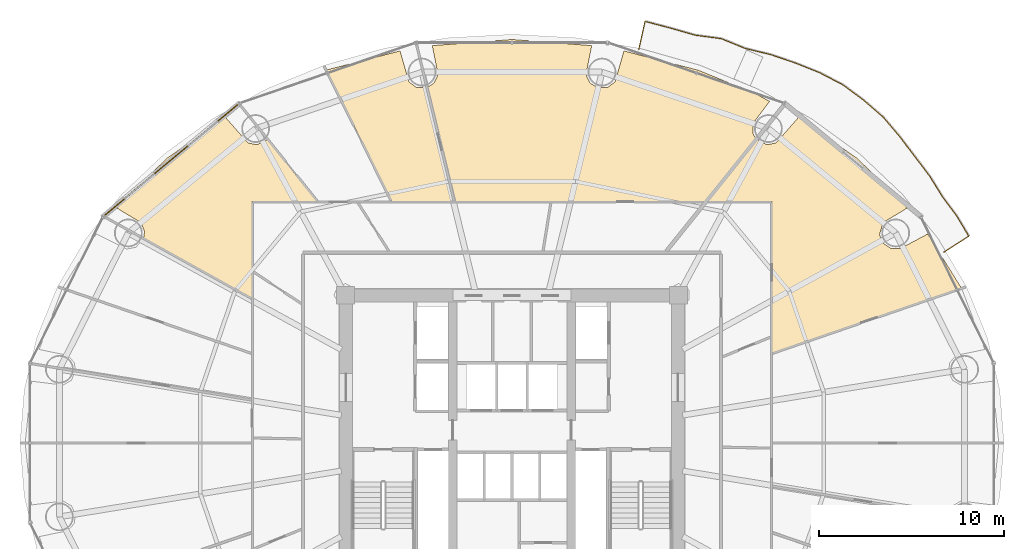
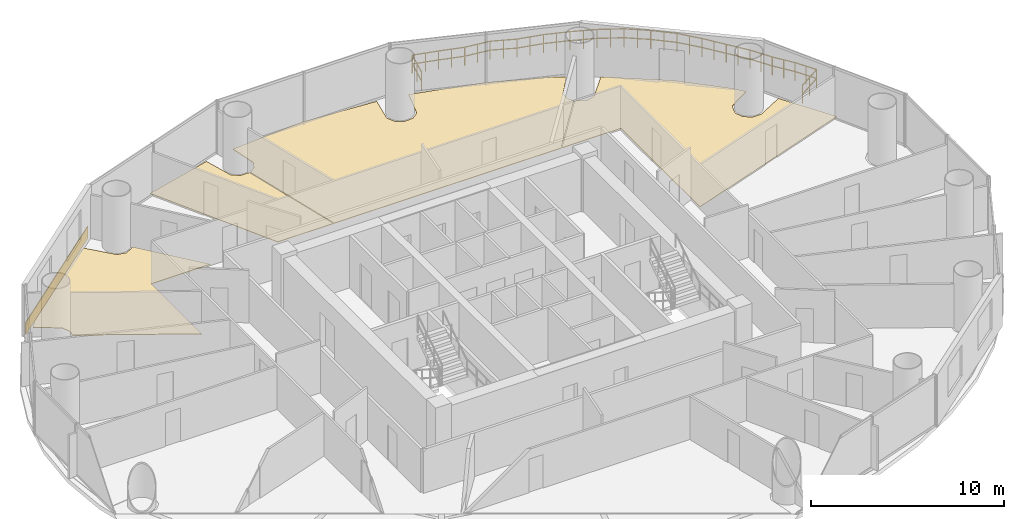
# One storey, part 29 of 29: 5 coverings, 1 railing.
"""IFC4 building model written with IfcOpenShell, lengths in metres."""

from ifc_helpers import new_model, si_unit, direction, frame, origin, origin_2d, place, context, subcontext, project, spatial, polyline, rectangle, outline, extrude, source, transform, mapped, material, layer, layer_set, type_object, element, save


model = new_model("IFC4")

# Units and contexts
model_context = context("Model", 3, precision=1e-05, world=origin(), true_north=direction((-0.2419218956, 0.970295726276)))
body_context = subcontext(model_context, "Body", "Model", "MODEL_VIEW")
ifc_project = project(units=[si_unit("LENGTHUNIT", "METRE"), si_unit("AREAUNIT", "SQUARE_METRE"), si_unit("VOLUMEUNIT", "CUBIC_METRE"), si_unit("PLANEANGLEUNIT", "RADIAN"), si_unit("MASSUNIT", "GRAM", prefix="KILO")], contexts=[model_context])

# Site, building, storey
site_placement = place(None, origin())
site = spatial("IfcSite", under=ifc_project, at=site_placement, CompositionType="ELEMENT")
building_placement = place(site_placement, origin())
building = spatial("IfcBuilding", under=site, at=building_placement, Name="Cobrevalo Terracotta Tower", CompositionType="ELEMENT")
storey_placement = place(building_placement, frame((0.0, 0.0, 112.199951171875)))
storey = spatial("IfcBuildingStorey", under=building, at=storey_placement, Name="L29", CompositionType="ELEMENT", Elevation=112.199951171875)

# Railing
ifc_material_1 = material(Name="Laminated structural glass and stainless steel", Category="steel")
railing_type = type_object("IfcRailingType", Name="Balcony lobe structural glass & terracotta-cap balustrade 1180 mm", PredefinedType="BALUSTRADE", material=ifc_material_1)
railing_placement = place(storey_placement, frame((61.36083984375, 37.127685546875, 0.0)))
element("IfcRailing", 1, at=railing_placement, inside=storey, type_object=railing_type, Name="L29 spiralling balcony lobe balustrade 1", PredefinedType="BALUSTRADE", context=body_context, shape_type="SweptSolid", body=[
    extrude(rectangle(XDim=0.048095703125, YDim=0.048095703125, at=origin_2d()), frame((0.0, 0.0, 1.15576171875), z_axis=(0.842335624258, 0.538953333885, 0.0), x_axis=(-0.538953333885, 0.842335624258, 0.0)), (0.0, 0.0, 1.0), 1.587646484375),
    extrude(rectangle(XDim=0.048095703125, YDim=0.048095703125, at=origin_2d()), frame((0.0, 0.0, 0.58984375), z_axis=(0.842335624258, 0.538953333885, 0.0), x_axis=(-0.538953333885, 0.842335624258, 0.0)), (0.0, 0.0, 1.0), 1.587646484375),
    extrude(rectangle(XDim=0.048095703125, YDim=0.048095703125, at=origin_2d()), frame((1.33740234375, 0.855712890625, 1.15576171875), z_axis=(-0.51238235804, 0.858757427432, 0.0), x_axis=(-0.858757427432, -0.51238235804, 0.0)), (0.0, 0.0, 1.0), 1.275146484375),
    extrude(rectangle(XDim=0.048095703125, YDim=0.048095703125, at=origin_2d()), frame((1.33740234375, 0.855712890625, 0.58984375), z_axis=(-0.51238235804, 0.858757427432, 0.0), x_axis=(-0.858757427432, -0.51238235804, 0.0)), (0.0, 0.0, 1.0), 1.275146484375),
    extrude(rectangle(XDim=0.048095703125, YDim=0.048095703125, at=origin_2d()), frame((0.68408203125, 1.95068359375, 1.15576171875), z_axis=(-0.59694868326, 0.802279421121, 0.0), x_axis=(-0.802279421121, -0.59694868326, 0.0)), (0.0, 0.0, 1.0), 1.294921875),
    extrude(rectangle(XDim=0.048095703125, YDim=0.048095703125, at=origin_2d()), frame((0.68408203125, 1.95068359375, 0.58984375), z_axis=(-0.59694868326, 0.802279421121, 0.0), x_axis=(-0.802279421121, -0.59694868326, 0.0)), (0.0, 0.0, 1.0), 1.294921875),
    extrude(rectangle(XDim=0.048095703125, YDim=0.048095703125, at=origin_2d()), frame((-0.0888671875, 2.989501953125, 1.15576171875), z_axis=(-0.525113053791, 0.85103247925, 0.0), x_axis=(-0.85103247925, -0.525113053791, 0.0)), (0.0, 0.0, 1.0), 1.31396484375),
    extrude(rectangle(XDim=0.048095703125, YDim=0.048095703125, at=origin_2d()), frame((-0.0888671875, 2.989501953125, 0.58984375), z_axis=(-0.525113053791, 0.85103247925, 0.0), x_axis=(-0.85103247925, -0.525113053791, 0.0)), (0.0, 0.0, 1.0), 1.31396484375),
    extrude(rectangle(XDim=0.048095703125, YDim=0.048095703125, at=origin_2d()), frame((-0.77880859375, 4.107666015625, 1.15576171875), z_axis=(-0.604962701623, 0.796253809815, 0.0), x_axis=(-0.796253809815, -0.604962701623, 0.0)), (0.0, 0.0, 1.0), 1.3349609375),
    extrude(rectangle(XDim=0.048095703125, YDim=0.048095703125, at=origin_2d()), frame((-0.77880859375, 4.107666015625, 0.58984375), z_axis=(-0.604962701623, 0.796253809815, 0.0), x_axis=(-0.796253809815, -0.604962701623, 0.0)), (0.0, 0.0, 1.0), 1.3349609375),
    extrude(rectangle(XDim=0.048095703125, YDim=0.048095703125, at=origin_2d()), frame((-1.58642578125, 5.170654296875, 1.15576171875), z_axis=(-0.604178555982, 0.796848964668, 0.0), x_axis=(-0.796848964668, -0.604178555982, 0.0)), (0.0, 0.0, 1.0), 1.362060546875),
    extrude(rectangle(XDim=0.048095703125, YDim=0.048095703125, at=origin_2d()), frame((-1.58642578125, 5.170654296875, 0.58984375), z_axis=(-0.604178555982, 0.796848964668, 0.0), x_axis=(-0.796848964668, -0.604178555982, 0.0)), (0.0, 0.0, 1.0), 1.362060546875),
    extrude(rectangle(XDim=0.048095703125, YDim=0.048095703125, at=origin_2d()), frame((-2.409423828125, 6.256103515625, 1.15576171875), z_axis=(-0.648050656242, 0.76159723407, 0.0), x_axis=(-0.76159723407, -0.648050656242, 0.0)), (0.0, 0.0, 1.0), 1.3740234375),
    extrude(rectangle(XDim=0.048095703125, YDim=0.048095703125, at=origin_2d()), frame((-2.409423828125, 6.256103515625, 0.58984375), z_axis=(-0.648050656242, 0.76159723407, 0.0), x_axis=(-0.76159723407, -0.648050656242, 0.0)), (0.0, 0.0, 1.0), 1.3740234375),
    extrude(rectangle(XDim=0.048095703125, YDim=0.048095703125, at=origin_2d()), frame((-3.2998046875, 7.302490234375, 1.15576171875), z_axis=(-0.755735461614, 0.654877020561, 0.0), x_axis=(-0.654877020561, -0.755735461614, 0.0)), (0.0, 0.0, 1.0), 1.389404296875),
    extrude(rectangle(XDim=0.048095703125, YDim=0.048095703125, at=origin_2d()), frame((-3.2998046875, 7.302490234375, 0.58984375), z_axis=(-0.755735461614, 0.654877020561, 0.0), x_axis=(-0.654877020561, -0.755735461614, 0.0)), (0.0, 0.0, 1.0), 1.389404296875),
    extrude(rectangle(XDim=0.048095703125, YDim=0.048095703125, at=origin_2d()), frame((-4.349853515625, 8.21240234375, 1.15576171875), z_axis=(-0.80407383479, 0.594529451084, 0.0), x_axis=(-0.594529451084, -0.80407383479, 0.0)), (0.0, 0.0, 1.0), 1.388916015625),
    extrude(rectangle(XDim=0.048095703125, YDim=0.048095703125, at=origin_2d()), frame((-4.349853515625, 8.21240234375, 0.58984375), z_axis=(-0.80407383479, 0.594529451084, 0.0), x_axis=(-0.594529451084, -0.80407383479, 0.0)), (0.0, 0.0, 1.0), 1.388916015625),
    extrude(rectangle(XDim=0.048095703125, YDim=0.048095703125, at=origin_2d()), frame((-5.466552734375, 9.0380859375, 1.15576171875), z_axis=(-0.886004890741, 0.463675892821, 0.0), x_axis=(-0.463675892821, -0.886004890741, 0.0)), (0.0, 0.0, 1.0), 1.4052734375),
    extrude(rectangle(XDim=0.048095703125, YDim=0.048095703125, at=origin_2d()), frame((-5.466552734375, 9.0380859375, 0.58984375), z_axis=(-0.886004890741, 0.463675892821, 0.0), x_axis=(-0.463675892821, -0.886004890741, 0.0)), (0.0, 0.0, 1.0), 1.4052734375),
    extrude(rectangle(XDim=0.048095703125, YDim=0.048095703125, at=origin_2d()), frame((-6.711669921875, 9.689697265625, 1.15576171875), z_axis=(-0.928488574912, 0.37136096491, 0.0), x_axis=(-0.37136096491, -0.928488574912, 0.0)), (0.0, 0.0, 1.0), 1.416748046875),
    extrude(rectangle(XDim=0.048095703125, YDim=0.048095703125, at=origin_2d()), frame((-6.711669921875, 9.689697265625, 0.58984375), z_axis=(-0.928488574912, 0.37136096491, 0.0), x_axis=(-0.37136096491, -0.928488574912, 0.0)), (0.0, 0.0, 1.0), 1.416748046875),
    extrude(rectangle(XDim=0.048095703125, YDim=0.048095703125, at=origin_2d()), frame((-8.027099609375, 10.2158203125, 1.15576171875), z_axis=(-0.946279965288, 0.323348461099, 0.0), x_axis=(-0.323348461099, -0.946279965288, 0.0)), (0.0, 0.0, 1.0), 1.407470703125),
    extrude(rectangle(XDim=0.048095703125, YDim=0.048095703125, at=origin_2d()), frame((-8.027099609375, 10.2158203125, 0.58984375), z_axis=(-0.946279965288, 0.323348461099, 0.0), x_axis=(-0.323348461099, -0.946279965288, 0.0)), (0.0, 0.0, 1.0), 1.407470703125),
    extrude(rectangle(XDim=0.048095703125, YDim=0.048095703125, at=origin_2d()), frame((-9.35888671875, 10.6708984375, 1.15576171875), z_axis=(-0.972021714059, 0.234891011745, 0.0), x_axis=(-0.234891011745, -0.972021714059, 0.0)), (0.0, 0.0, 1.0), 1.42919921875),
    extrude(rectangle(XDim=0.048095703125, YDim=0.048095703125, at=origin_2d()), frame((-9.35888671875, 10.6708984375, 0.58984375), z_axis=(-0.972021714059, 0.234891011745, 0.0), x_axis=(-0.234891011745, -0.972021714059, 0.0)), (0.0, 0.0, 1.0), 1.42919921875),
    extrude(rectangle(XDim=0.048095703125, YDim=0.048095703125, at=origin_2d()), frame((-10.748046875, 11.006591796875, 1.15576171875), z_axis=(-0.925782883553, 0.378055620935, 0.0), x_axis=(-0.378055620935, -0.925782883553, 0.0)), (0.0, 0.0, 1.0), 1.400146484375),
    extrude(rectangle(XDim=0.048095703125, YDim=0.048095703125, at=origin_2d()), frame((-10.748046875, 11.006591796875, 0.58984375), z_axis=(-0.925782883553, 0.378055620935, 0.0), x_axis=(-0.378055620935, -0.925782883553, 0.0)), (0.0, 0.0, 1.0), 1.400146484375),
    extrude(rectangle(XDim=0.048095703125, YDim=0.048095703125, at=origin_2d()), frame((-12.044189453125, 11.535888671875, 1.15576171875), z_axis=(-0.991221932441, 0.132208474187, 0.0), x_axis=(-0.132208474187, -0.991221932441, 0.0)), (0.0, 0.0, 1.0), 1.42919921875),
    extrude(rectangle(XDim=0.048095703125, YDim=0.048095703125, at=origin_2d()), frame((-12.044189453125, 11.535888671875, 0.58984375), z_axis=(-0.991221932441, 0.132208474187, 0.0), x_axis=(-0.132208474187, -0.991221932441, 0.0)), (0.0, 0.0, 1.0), 1.42919921875),
    extrude(rectangle(XDim=0.048095703125, YDim=0.048095703125, at=origin_2d()), frame((-13.4609375, 11.724853515625, 1.15576171875), z_axis=(-0.961267940498, 0.275615577519, 0.0), x_axis=(-0.275615577519, -0.961267940498, 0.0)), (0.0, 0.0, 1.0), 1.40576171875),
    extrude(rectangle(XDim=0.048095703125, YDim=0.048095703125, at=origin_2d()), frame((-13.4609375, 11.724853515625, 0.58984375), z_axis=(-0.961267940498, 0.275615577519, 0.0), x_axis=(-0.275615577519, -0.961267940498, 0.0)), (0.0, 0.0, 1.0), 1.40576171875),
    extrude(rectangle(XDim=0.048095703125, YDim=0.048095703125, at=origin_2d()), frame((-14.812255859375, 12.1123046875, 1.15576171875), z_axis=(-0.967200536838, 0.254014018393, 0.0), x_axis=(-0.254014018393, -0.967200536838, 0.0)), (0.0, 0.0, 1.0), 1.404296875),
    extrude(rectangle(XDim=0.048095703125, YDim=0.048095703125, at=origin_2d()), frame((-14.812255859375, 12.1123046875, 0.58984375), z_axis=(-0.967200536838, 0.254014018393, 0.0), x_axis=(-0.254014018393, -0.967200536838, 0.0)), (0.0, 0.0, 1.0), 1.404296875),
    extrude(rectangle(XDim=0.048095703125, YDim=0.048095703125, at=origin_2d()), frame((-16.17041015625, 12.468994140625, 1.15576171875), z_axis=(-0.217308719334, -0.976102925158, 0.0), x_axis=(0.976102925158, -0.217308719334, 0.0)), (0.0, 0.0, 1.0), 1.57177734375),
    extrude(rectangle(XDim=0.048095703125, YDim=0.048095703125, at=origin_2d()), frame((-16.17041015625, 12.468994140625, 0.58984375), z_axis=(-0.217308719334, -0.976102925158, 0.0), x_axis=(0.976102925158, -0.217308719334, 0.0)), (0.0, 0.0, 1.0), 1.57177734375),
    extrude(rectangle(XDim=0.0419921875, YDim=0.0419921875, at=origin_2d()), origin(), (0.0, 0.0, 1.0), 1.1318359375),
    extrude(rectangle(XDim=0.0419921875, YDim=0.0419921875, at=origin_2d()), frame((0.668701171875, 0.427734375, 0.0)), (0.0, 0.0, 1.0), 1.1318359375),
    extrude(rectangle(XDim=0.0419921875, YDim=0.0419921875, at=origin_2d()), frame((1.33740234375, 0.855712890625, 0.0)), (0.0, 0.0, 1.0), 1.1318359375),
    extrude(rectangle(XDim=0.0419921875, YDim=0.0419921875, at=origin_2d()), frame((1.0107421875, 1.4033203125, 0.0)), (0.0, 0.0, 1.0), 1.1318359375),
    extrude(rectangle(XDim=0.0419921875, YDim=0.0419921875, at=origin_2d()), frame((0.68408203125, 1.95068359375, 0.0)), (0.0, 0.0, 1.0), 1.1318359375),
    extrude(rectangle(XDim=0.0419921875, YDim=0.0419921875, at=origin_2d()), frame((0.297607421875, 2.47021484375, 0.0)), (0.0, 0.0, 1.0), 1.1318359375),
    extrude(rectangle(XDim=0.0419921875, YDim=0.0419921875, at=origin_2d()), frame((-0.0888671875, 2.989501953125, 0.0)), (0.0, 0.0, 1.0), 1.1318359375),
    extrude(rectangle(XDim=0.0419921875, YDim=0.0419921875, at=origin_2d()), frame((-0.433837890625, 3.548583984375, 0.0)), (0.0, 0.0, 1.0), 1.1318359375),
    extrude(rectangle(XDim=0.0419921875, YDim=0.0419921875, at=origin_2d()), frame((-0.77880859375, 4.107666015625, 0.0)), (0.0, 0.0, 1.0), 1.1318359375),
    extrude(rectangle(XDim=0.0419921875, YDim=0.0419921875, at=origin_2d()), frame((-1.1826171875, 4.63916015625, 0.0)), (0.0, 0.0, 1.0), 1.1318359375),
    extrude(rectangle(XDim=0.0419921875, YDim=0.0419921875, at=origin_2d()), frame((-1.58642578125, 5.170654296875, 0.0)), (0.0, 0.0, 1.0), 1.1318359375),
    extrude(rectangle(XDim=0.0419921875, YDim=0.0419921875, at=origin_2d()), frame((-1.998046875, 5.71337890625, 0.0)), (0.0, 0.0, 1.0), 1.1318359375),
    extrude(rectangle(XDim=0.0419921875, YDim=0.0419921875, at=origin_2d()), frame((-2.409423828125, 6.256103515625, 0.0)), (0.0, 0.0, 1.0), 1.1318359375),
    extrude(rectangle(XDim=0.0419921875, YDim=0.0419921875, at=origin_2d()), frame((-2.8544921875, 6.779296875, 0.0)), (0.0, 0.0, 1.0), 1.1318359375),
    extrude(rectangle(XDim=0.0419921875, YDim=0.0419921875, at=origin_2d()), frame((-3.2998046875, 7.302490234375, 0.0)), (0.0, 0.0, 1.0), 1.1318359375),
    extrude(rectangle(XDim=0.0419921875, YDim=0.0419921875, at=origin_2d()), frame((-3.82470703125, 7.75732421875, 0.0)), (0.0, 0.0, 1.0), 1.1318359375),
    extrude(rectangle(XDim=0.0419921875, YDim=0.0419921875, at=origin_2d()), frame((-4.349853515625, 8.21240234375, 0.0)), (0.0, 0.0, 1.0), 1.1318359375),
    extrude(rectangle(XDim=0.0419921875, YDim=0.0419921875, at=origin_2d()), frame((-4.908203125, 8.625244140625, 0.0)), (0.0, 0.0, 1.0), 1.1318359375),
    extrude(rectangle(XDim=0.0419921875, YDim=0.0419921875, at=origin_2d()), frame((-5.466552734375, 9.0380859375, 0.0)), (0.0, 0.0, 1.0), 1.1318359375),
    extrude(rectangle(XDim=0.0419921875, YDim=0.0419921875, at=origin_2d()), frame((-6.089111328125, 9.36376953125, 0.0)), (0.0, 0.0, 1.0), 1.1318359375),
    extrude(rectangle(XDim=0.0419921875, YDim=0.0419921875, at=origin_2d()), frame((-6.711669921875, 9.689697265625, 0.0)), (0.0, 0.0, 1.0), 1.1318359375),
    extrude(rectangle(XDim=0.0419921875, YDim=0.0419921875, at=origin_2d()), frame((-7.369384765625, 9.95263671875, 0.0)), (0.0, 0.0, 1.0), 1.1318359375),
    extrude(rectangle(XDim=0.0419921875, YDim=0.0419921875, at=origin_2d()), frame((-8.027099609375, 10.2158203125, 0.0)), (0.0, 0.0, 1.0), 1.1318359375),
    extrude(rectangle(XDim=0.0419921875, YDim=0.0419921875, at=origin_2d()), frame((-8.69287109375, 10.443359375, 0.0)), (0.0, 0.0, 1.0), 1.1318359375),
    extrude(rectangle(XDim=0.0419921875, YDim=0.0419921875, at=origin_2d()), frame((-9.35888671875, 10.6708984375, 0.0)), (0.0, 0.0, 1.0), 1.1318359375),
    extrude(rectangle(XDim=0.0419921875, YDim=0.0419921875, at=origin_2d()), frame((-10.053466796875, 10.8388671875, 0.0)), (0.0, 0.0, 1.0), 1.1318359375),
    extrude(rectangle(XDim=0.0419921875, YDim=0.0419921875, at=origin_2d()), frame((-10.748046875, 11.006591796875, 0.0)), (0.0, 0.0, 1.0), 1.1318359375),
    extrude(rectangle(XDim=0.0419921875, YDim=0.0419921875, at=origin_2d()), frame((-11.39599609375, 11.271240234375, 0.0)), (0.0, 0.0, 1.0), 1.1318359375),
    extrude(rectangle(XDim=0.0419921875, YDim=0.0419921875, at=origin_2d()), frame((-12.044189453125, 11.535888671875, 0.0)), (0.0, 0.0, 1.0), 1.1318359375),
    extrude(rectangle(XDim=0.0419921875, YDim=0.0419921875, at=origin_2d()), frame((-12.75244140625, 11.63037109375, 0.0)), (0.0, 0.0, 1.0), 1.1318359375),
    extrude(rectangle(XDim=0.0419921875, YDim=0.0419921875, at=origin_2d()), frame((-13.4609375, 11.724853515625, 0.0)), (0.0, 0.0, 1.0), 1.1318359375),
    extrude(rectangle(XDim=0.0419921875, YDim=0.0419921875, at=origin_2d()), frame((-14.13671875, 11.91845703125, 0.0)), (0.0, 0.0, 1.0), 1.1318359375),
    extrude(rectangle(XDim=0.0419921875, YDim=0.0419921875, at=origin_2d()), frame((-14.812255859375, 12.1123046875, 0.0)), (0.0, 0.0, 1.0), 1.1318359375),
    extrude(rectangle(XDim=0.0419921875, YDim=0.0419921875, at=origin_2d()), frame((-15.4912109375, 12.29052734375, 0.0)), (0.0, 0.0, 1.0), 1.1318359375),
    extrude(rectangle(XDim=0.0419921875, YDim=0.0419921875, at=origin_2d()), frame((-16.17041015625, 12.468994140625, 0.0)), (0.0, 0.0, 1.0), 1.1318359375),
    extrude(rectangle(XDim=0.0419921875, YDim=0.0419921875, at=origin_2d()), frame((-16.34130859375, 11.701904296875, 0.0)), (0.0, 0.0, 1.0), 1.1318359375),
    extrude(rectangle(XDim=0.0419921875, YDim=0.0419921875, at=origin_2d()), frame((-16.511962890625, 10.934814453125, 0.0)), (0.0, 0.0, 1.0), 1.1318359375),
])

# Coverings
ifc_material_2 = material(Name="Engineered Brazilian hardwood flooring", Category="wood")
ifc_layer_1 = layer(ifc_material_2, 0.028076171875)
ifc_layer_set_1 = layer_set([ifc_layer_1], Name="Engineered Brazilian hardwood flooring")
covering_type_1 = type_object("IfcCoveringType", Name="Engineered Hardwood Suite Flooring 28", PredefinedType="FLOORING", material=ifc_layer_set_1)
covering_1_placement = place(storey_placement, origin())
element("IfcCovering", 2, at=covering_1_placement, inside=storey, type_object=covering_type_1, Name="Flat L29A Penthouse Living and Dining Room floor finish", PredefinedType="FLOORING", context=body_context, shape_type="SweptSolid", body=[
    extrude(outline(polyline([(38.0, 48.619873046875), (42.3095703125, 48.2890625), (41.997802734375, 46.721435546875), (42.2197265625, 46.26123046875), (42.659912109375, 46.001708984375), (43.170166015625, 46.030517578125), (43.578125, 46.337890625), (44.05078125, 48.001953125), (48.073486328125, 46.95849609375), (51.161376953125, 45.696044921875), (51.92431640625, 45.273193359375), (51.0185546875, 44.05615234375), (51.02001953125, 43.54541015625), (51.193359375, 43.23681640625), (48.4736328125, 39.85498046875), (34.89501953125, 39.85498046875), (33.4169921875, 46.028564453125), (33.7802734375, 46.26123046875), (34.002197265625, 46.721435546875), (33.6904296875, 48.2890625), (38.0, 48.619873046875)])), origin(), (0.0, 0.0, 1.0), 0.030029296875),
])
covering_2_placement = place(storey_placement, origin())
element("IfcCovering", 3, at=covering_2_placement, inside=storey, type_object=covering_type_1, Name="Flat L29A Master Bedroom floor finish", PredefinedType="FLOORING", context=body_context, shape_type="SweptSolid", body=[
    extrude(outline(polyline([(31.94921875, 48.001953125), (32.421875, 46.337890625), (32.829833984375, 46.030517578125), (33.37890625, 46.015380859375), (34.853759765625, 39.85498046875), (31.513671875, 39.85498046875), (27.966552734375, 46.9697265625), (31.94921875, 48.001953125)])), origin(), (0.0, 0.0, 1.0), 0.030029296875),
])
covering_3_placement = place(storey_placement, origin())
element("IfcCovering", 4, at=covering_3_placement, inside=storey, type_object=covering_type_1, Name="Flat L29A Principal Guest Bedroom floor finish", PredefinedType="FLOORING", context=body_context, shape_type="SweptSolid", body=[
    extrude(outline(polyline([(19.3876953125, 42.227783203125), (22.511474609375, 44.40673828125), (23.72119140625, 43.02880859375), (24.221923828125, 42.927490234375), (24.780029296875, 43.2060546875), (27.47509765625, 39.85498046875), (23.945068359375, 39.85498046875), (23.945068359375, 34.62548828125), (18.083740234375, 37.879150390625), (18.131591796875, 38.23876953125), (17.94091796875, 38.712890625), (16.64697265625, 39.49755859375), (17.117919921875, 40.081787109375), (19.3876953125, 42.227783203125)])), origin(), (0.0, 0.0, 1.0), 0.030029296875),
])
covering_4_placement = place(storey_placement, origin())
element("IfcCovering", 5, at=covering_4_placement, inside=storey, type_object=covering_type_1, Name="Flat L29B Private Cinema Room floor finish", PredefinedType="FLOORING", context=body_context, shape_type="SweptSolid", body=[
    extrude(outline(polyline([(48.52490234375, 39.85498046875), (51.219970703125, 43.2060546875), (51.778076171875, 42.927490234375), (52.27880859375, 43.02880859375), (53.488525390625, 44.40673828125), (56.6123046875, 42.227783203125), (58.882080078125, 40.081787109375), (59.35302734375, 39.49755859375), (58.05908203125, 38.712890625), (57.8701171875, 38.066162109375), (58.070556640625, 37.59619140625), (58.498291015625, 37.316650390625), (59.00927734375, 37.32177734375), (60.474853515625, 38.10546875), (62.296875, 35.1826171875), (52.054931640625, 31.657958984375), (52.054931640625, 39.85498046875), (48.52490234375, 39.85498046875)])), origin(), (0.0, 0.0, 1.0), 0.030029296875),
])
ifc_material_3 = material(Name="Glazed terracotta facade cladding tile", Category="masonry")
ifc_layer_2 = layer(ifc_material_3, 0.044921875)
ifc_layer_set_2 = layer_set([ifc_layer_2], Name="Glazed terracotta facade cladding tile")
covering_type_2 = type_object("IfcCoveringType", Name="Architectural terracotta rainscreen spandrel cladding 45 mm", PredefinedType="CLADDING", material=ifc_layer_set_2)
shared_shape = source(origin(), body_context, "Body", "SweptSolid", [
    extrude(rectangle(XDim=9.32958984375, YDim=0.044921875, at=origin_2d()), origin(), (0.0, 0.0, 1.0), 0.760009765625),
])
covering_5_placement = place(storey_placement, frame((19.5732421875, 42.10595703125, 0.0400390625), z_axis=(0.0, 0.0, 1.0), x_axis=(-0.769241221277, -0.638958483384, 0.0)))
element("IfcCovering", 6, at=covering_5_placement, inside=storey, type_object=covering_type_2, Name="L29 terracotta spandrel cladding S06", PredefinedType="CLADDING", context=body_context, shape_type="MappedRepresentation", body=[
    mapped(shared_shape, transform((0.0, 0.0, 0.0), scale=1.0)),
])

save(model, "model.ifc")
